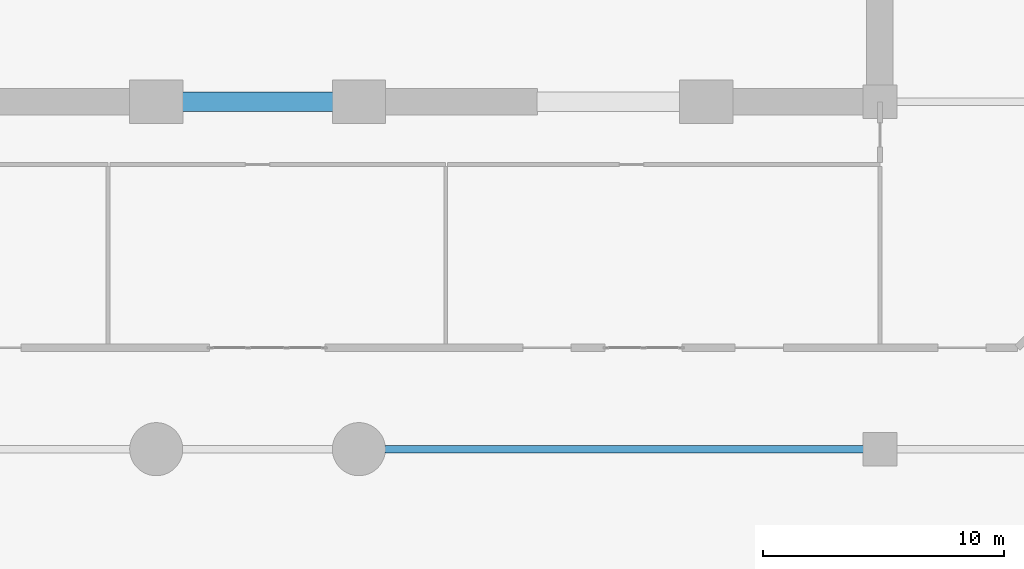
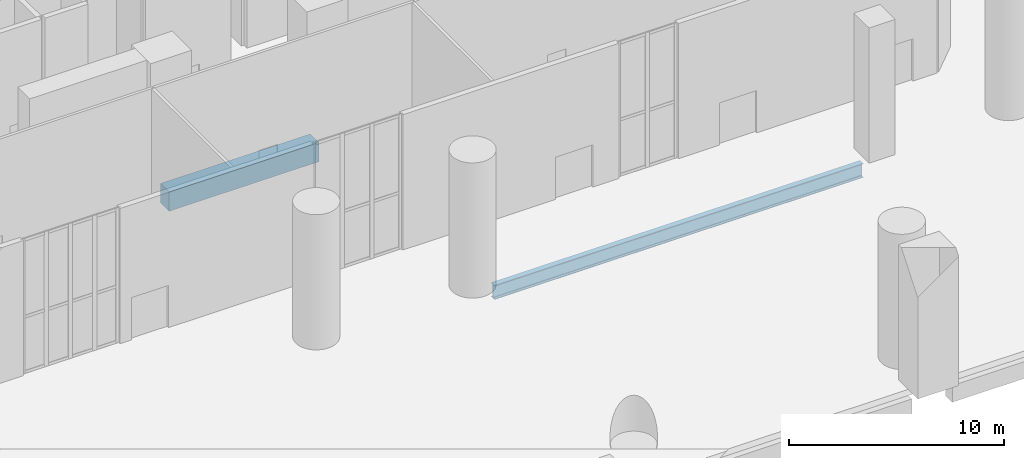
# One storey, part 5 of 17: 2 beams.
"""IFC4 building model written with IfcOpenShell, lengths in metres."""

from ifc_helpers import new_model, si_unit, direction, frame, origin, origin_2d, place, context, subcontext, project, spatial, rectangle, i_section, extrude, material, material_profile, profile_set, type_object, element, save


model = new_model("IFC4")

# Units and contexts
model_context = context("Model", 3, precision=1e-05, world=origin(), true_north=direction((0.0, 1.0)))
body_context = subcontext(model_context, "Body", "Model", "MODEL_VIEW")
ifc_project = project(units=[si_unit("LENGTHUNIT", "METRE"), si_unit("AREAUNIT", "SQUARE_METRE"), si_unit("VOLUMEUNIT", "CUBIC_METRE"), si_unit("PLANEANGLEUNIT", "RADIAN"), si_unit("MASSUNIT", "GRAM", prefix="KILO")], contexts=[model_context])

# Site, building, storey
site_placement = place(None, origin())
site = spatial("IfcSite", under=ifc_project, at=site_placement, CompositionType="ELEMENT")
building_placement = place(site_placement, origin())
building = spatial("IfcBuilding", under=site, at=building_placement, Name="Kaelvorn Grand Hotel", CompositionType="ELEMENT")
storey_placement = place(building_placement, origin())
storey = spatial("IfcBuildingStorey", under=building, at=storey_placement, Name="L00", CompositionType="ELEMENT", Elevation=0.0)

# Beams
ifc_material_1 = material(Name="Steel S355", Category="steel")
ifc_material_profile_1 = material_profile(ifc_material_1, i_section(OverallWidth=0.300048828125, OverallDepth=0.800048828125, WebThickness=0.017578125, FlangeThickness=0.032958984375, FilletRadius=0.030029296875, at=origin_2d()), Name="HEB 800")
ifc_profile_set_1 = profile_set([ifc_material_profile_1], Name="Steel S355")
beam_type_1 = type_object("IfcBeamType", Name="BM-G-HEB800-S355", PredefinedType="BEAM", material=ifc_profile_set_1)
beam_1_placement = place(storey_placement, frame((47.284912109375, 15.0, -0.75), z_axis=(1.0, 0.0, 0.0), x_axis=(0.0, 1.0, 0.0)))
element("IfcBeam", 1, at=beam_1_placement, inside=storey, type_object=beam_type_1, Name="L00 Primary Spine Steel Girder G-15 05", PredefinedType="BEAM", context=body_context, shape_type="SweptSolid", body=[
    extrude(i_section(OverallWidth=0.300048828125, OverallDepth=0.800048828125, WebThickness=0.017578125, FlangeThickness=0.032958984375, FilletRadius=0.030029296875, at=origin_2d()), origin(), (0.0, 0.0, 1.0), 19.830078125),
])
ifc_material_2 = material(Name="Concrete C60/75", Category="concrete")
ifc_material_profile_2 = material_profile(ifc_material_2, rectangle(XDim=0.800048828125, YDim=1.10009765625, at=origin_2d()), Name="RC LINTEL 800x1100")
ifc_profile_set_2 = profile_set([ifc_material_profile_2], Name="Concrete C60/75")
beam_type_2 = type_object("IfcBeamType", Name="BM-LIN-800x1100-C60", PredefinedType="LINTEL", material=ifc_profile_set_2)
beam_2_placement = place(storey_placement, frame((37.97998046875, 29.39990234375, -0.89990234375), z_axis=(1.0, 0.0, 0.0), x_axis=(0.0, 1.0, 0.0)))
element("IfcBeam", 2, at=beam_2_placement, inside=storey, type_object=beam_type_2, Name="L00 Rear-Core Coupling Lintel Beam CB1-02", PredefinedType="LINTEL", context=body_context, shape_type="SweptSolid", body=[
    extrude(rectangle(XDim=0.800048828125, YDim=1.10009765625, at=origin_2d()), origin(), (0.0, 0.0, 1.0), 8.0400390625),
])

save(model, "model.ifc")
